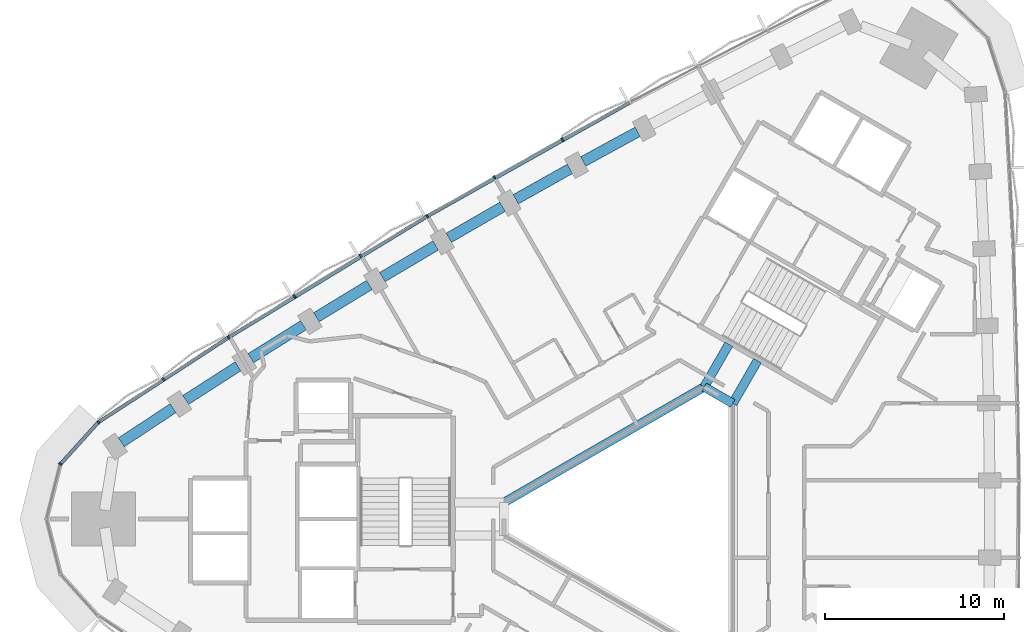
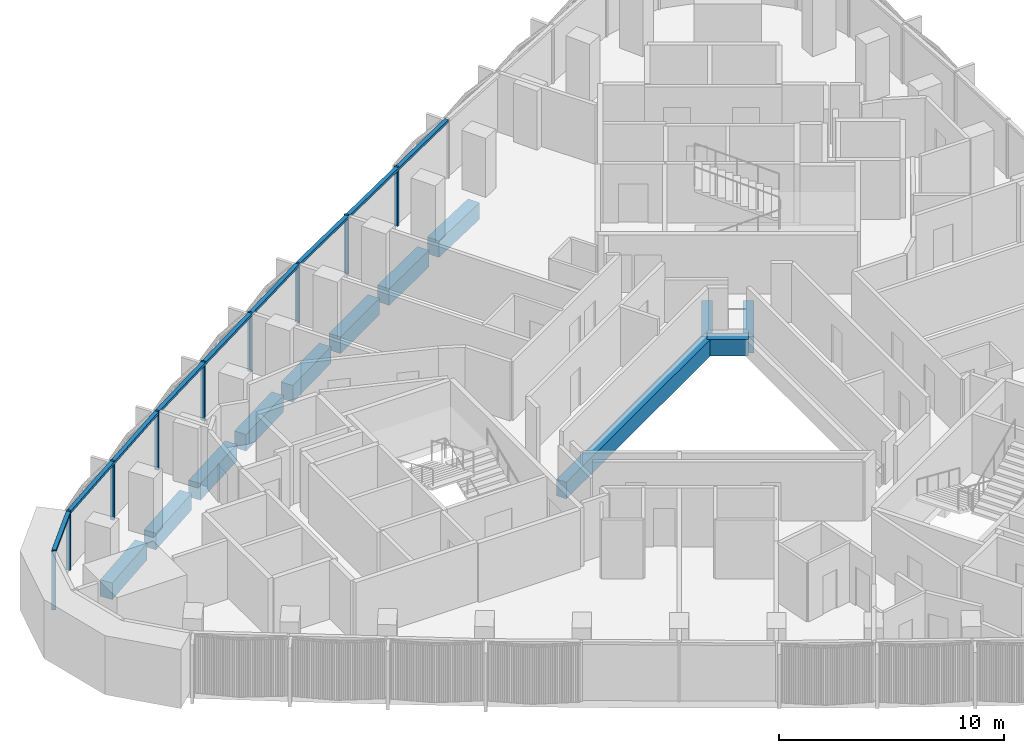
# One storey, part 4 of 15: 13 members, 12 beams, 1 element without a shape of its own.
"""IFC4 building model written with IfcOpenShell, lengths in metres."""

from ifc_helpers import new_model, si_unit, direction, frame, origin, origin_2d, place, context, subcontext, project, spatial, rectangle, extrude, material, material_profile, profile_set, type_object, element, aggregate, save


model = new_model("IFC4")

# Units and contexts
model_context = context("Model", 3, precision=1e-05, world=origin(), true_north=direction((0.0, 1.0)))
body_context = subcontext(model_context, "Body", "Model", "MODEL_VIEW")
ifc_project = project(units=[si_unit("LENGTHUNIT", "METRE"), si_unit("AREAUNIT", "SQUARE_METRE"), si_unit("VOLUMEUNIT", "CUBIC_METRE"), si_unit("PLANEANGLEUNIT", "RADIAN"), si_unit("MASSUNIT", "GRAM", prefix="KILO")], contexts=[model_context])

# Site, building, storey
site_placement = place(None, origin())
site = spatial("IfcSite", under=ifc_project, at=site_placement, CompositionType="ELEMENT")
building_placement = place(site_placement, origin())
building = spatial("IfcBuilding", under=site, at=building_placement, Name="Tamra Quay Hotel Tower", CompositionType="ELEMENT")
storey_placement = place(building_placement, frame((0.0, 0.0, 136.0)))
storey = spatial("IfcBuildingStorey", under=building, at=storey_placement, Name="L33", CompositionType="ELEMENT", Elevation=136.0)

# Beams
ifc_material_1 = material(Name="Concrete M60", Category="concrete")
ifc_material_profile_1 = material_profile(ifc_material_1, rectangle(XDim=0.5, YDim=0.89990234375, at=origin_2d()), Name="ATRIUM EDGE BEAM RC 500x900")
ifc_profile_set_1 = profile_set([ifc_material_profile_1], Name="Concrete M60")
beam_type_1 = type_object("IfcBeamType", Name="ATRIUM EDGE BEAM RC 500x900", PredefinedType="BEAM", material=ifc_profile_set_1)
beam_1_placement = place(storey_placement, frame((-8.0, 0.923828125, -0.85009765625), z_axis=(0.866024942741, 0.500000798549, 0.0), x_axis=(-0.500000798549, 0.866024942741, 0.0)))
element("IfcBeam", 1, at=beam_1_placement, inside=storey, type_object=beam_type_1, Name="BM-AB4-L33", PredefinedType="BEAM", context=body_context, shape_type="SweptSolid", body=[
    extrude(rectangle(XDim=0.5, YDim=0.89990234375, at=origin_2d()), origin(), (0.0, 0.0, 1.0), 12.9326171875),
])
beam_2_placement = place(storey_placement, frame((3.199951171875, 7.39013671875, -0.85009765625), z_axis=(0.86602275259, -0.500004591975, 0.0), x_axis=(0.500004591975, 0.86602275259, 0.0)))
element("IfcBeam", 2, at=beam_2_placement, inside=storey, type_object=beam_type_1, Name="BM-AB5-L33", PredefinedType="BEAM", context=body_context, shape_type="SweptSolid", body=[
    extrude(rectangle(XDim=0.5, YDim=0.89990234375, at=origin_2d()), origin(), (0.0, 0.0, 1.0), 1.84765625),
])
ifc_material_profile_2 = material_profile(ifc_material_1, rectangle(XDim=0.5, YDim=0.89990234375, at=origin_2d()), Name="ATRIUM TIE BEAM RC 500x900")
ifc_profile_set_2 = profile_set([ifc_material_profile_2], Name="Concrete M60")
beam_type_2 = type_object("IfcBeamType", Name="ATRIUM TIE BEAM RC 500x900", PredefinedType="BEAM", material=ifc_profile_set_2)
for number, where, z_axis, x_axis, name in (
    (3, (4.800048828125, 6.46630859375, -0.85009765625), (0.500008091576, 0.86602073206, 0.0), (-0.86602073206, 0.500008091576, 0.0), "BM-TIE-0-L33"),
    (4, (3.199951171875, 7.39013671875, -0.85009765625), (0.500008091576, 0.86602073206, 0.0), (-0.86602073206, 0.500008091576, 0.0), "BM-TIE-5-L33"),
):
    element("IfcBeam", number, at=place(storey_placement, frame(where, z_axis=z_axis, x_axis=x_axis)), inside=storey, type_object=beam_type_2, Name=name, PredefinedType="BEAM", context=body_context, shape_type="SweptSolid", body=[
        extrude(rectangle(XDim=0.5, YDim=0.89990234375, at=origin_2d()), origin(), (0.0, 0.0, 1.0), 2.76220703125),
    ])

# Curtain wall, members
ifc_material_2 = material(Name="Aluminium 6063 anodised dark grey", Category="aluminium")
curtain_wall_type = type_object("IfcCurtainWallType", Name="CW2 CURTAIN WALL", PredefinedType="NOTDEFINED", material=ifc_material_2)
curtain_wall_placement = place(storey_placement, origin())
curtain_wall = element("IfcCurtainWall", 5, at=curtain_wall_placement, inside=storey, type_object=curtain_wall_type, Name="CW2 north-west face L33", PredefinedType="NOTDEFINED")
ifc_material_profile_3 = material_profile(ifc_material_2, rectangle(XDim=0.199951171875, YDim=0.10009765625, at=origin_2d()), Name="MULLION 100X200")
ifc_profile_set_3 = profile_set([ifc_material_profile_3], Name="Aluminium 6063 anodised dark grey")
member_type_1 = type_object("IfcMemberType", Name="MULLION CW2 Z3", PredefinedType="MULLION", material=ifc_profile_set_3)
member_1_placement = place(storey_placement, frame((-4.74365234375, 21.241943359375, 0.0), z_axis=(0.0, 0.0, 1.0), x_axis=(-0.484394477866, 0.874849695555, 0.0)))
member_1 = element("IfcMember", 6, at=member_1_placement, type_object=member_type_1, Name="CW2 mullion L33.NW.5", PredefinedType="MULLION", context=body_context, shape_type="SweptSolid", body=[
    extrude(rectangle(XDim=0.199951171875, YDim=0.10009765625, at=origin_2d()), origin(), (0.0, 0.0, 1.0), 3.199951171875),
])
member_2_placement = place(storey_placement, frame((-8.529541015625, 19.1162109375, 0.0), z_axis=(0.0, 0.0, 1.0), x_axis=(-0.494813426934, 0.868999236205, 0.0)))
member_2 = element("IfcMember", 7, at=member_2_placement, type_object=member_type_1, Name="CW2 mullion L33.NW.6", PredefinedType="MULLION", context=body_context, shape_type="SweptSolid", body=[
    extrude(rectangle(XDim=0.199951171875, YDim=0.10009765625, at=origin_2d()), origin(), (0.0, 0.0, 1.0), 3.199951171875),
])
member_3_placement = place(storey_placement, frame((-12.290283203125, 16.94482421875, 0.0), z_axis=(0.0, 0.0, 1.0), x_axis=(-0.505168700956, 0.863020615961, 0.0)))
member_3 = element("IfcMember", 8, at=member_3_placement, type_object=member_type_1, Name="CW2 mullion L33.NW.7", PredefinedType="MULLION", context=body_context, shape_type="SweptSolid", body=[
    extrude(rectangle(XDim=0.199951171875, YDim=0.10009765625, at=origin_2d()), origin(), (0.0, 0.0, 1.0), 3.199951171875),
])
member_4_placement = place(storey_placement, frame((-16.024169921875, 14.72900390625, 0.0), z_axis=(0.0, 0.0, 1.0), x_axis=(-0.515444821911, 0.856922771062, 0.0)))
member_4 = element("IfcMember", 9, at=member_4_placement, type_object=member_type_1, Name="CW2 mullion L33.NW.8", PredefinedType="MULLION", context=body_context, shape_type="SweptSolid", body=[
    extrude(rectangle(XDim=0.199951171875, YDim=0.10009765625, at=origin_2d()), origin(), (0.0, 0.0, 1.0), 3.199951171875),
])
member_5_placement = place(storey_placement, frame((-19.73193359375, 12.468505859375, 0.0), z_axis=(0.0, 0.0, 1.0), x_axis=(-0.525646005383, 0.850703401325, 0.0)))
member_5 = element("IfcMember", 10, at=member_5_placement, type_object=member_type_1, Name="CW2 mullion L33.NW.9", PredefinedType="MULLION", context=body_context, shape_type="SweptSolid", body=[
    extrude(rectangle(XDim=0.199951171875, YDim=0.10009765625, at=origin_2d()), origin(), (0.0, 0.0, 1.0), 3.199951171875),
])
member_6_placement = place(storey_placement, frame((-23.41259765625, 10.163818359375, 0.0), z_axis=(0.0, 0.0, 1.0), x_axis=(-0.535760125246, 0.844370231709, 0.0)))
member_6 = element("IfcMember", 11, at=member_6_placement, type_object=member_type_1, Name="CW2 mullion L33.NW.10", PredefinedType="MULLION", context=body_context, shape_type="SweptSolid", body=[
    extrude(rectangle(XDim=0.199951171875, YDim=0.10009765625, at=origin_2d()), origin(), (0.0, 0.0, 1.0), 3.199951171875),
])
member_7_placement = place(storey_placement, frame((-27.064697265625, 7.81591796875, 0.0), z_axis=(0.0, 0.0, 1.0), x_axis=(-0.545780314448, 0.837928307411, 0.0)))
member_7 = element("IfcMember", 12, at=member_7_placement, type_object=member_type_1, Name="CW2 mullion L33.NW.11", PredefinedType="MULLION", context=body_context, shape_type="SweptSolid", body=[
    extrude(rectangle(XDim=0.199951171875, YDim=0.10009765625, at=origin_2d()), origin(), (0.0, 0.0, 1.0), 3.199951171875),
])
member_8_placement = place(storey_placement, frame((-30.688720703125, 5.424560546875, 0.0), z_axis=(0.0, 0.0, 1.0), x_axis=(-0.650989312843, 0.759086895266, 0.0)))
member_8 = element("IfcMember", 13, at=member_8_placement, type_object=member_type_1, Name="CW2 mullion L33.NW.12", PredefinedType="MULLION", context=body_context, shape_type="SweptSolid", body=[
    extrude(rectangle(XDim=0.199951171875, YDim=0.10009765625, at=origin_2d()), origin(), (0.0, 0.0, 1.0), 3.199951171875),
])
member_9_placement = place(storey_placement, frame((-32.81787109375, 3.075439453125, 0.0), z_axis=(0.0, 0.0, 1.0), x_axis=(-0.881925145425, 0.47138947577, 0.0)))
member_9 = element("IfcMember", 14, at=member_9_placement, type_object=member_type_1, Name="CW2 mullion L33.NW.13", PredefinedType="MULLION", context=body_context, shape_type="SweptSolid", body=[
    extrude(rectangle(XDim=0.199951171875, YDim=0.10009765625, at=origin_2d()), origin(), (0.0, 0.0, 1.0), 3.199951171875),
])

# Beams
ifc_material_profile_4 = material_profile(ifc_material_1, rectangle(XDim=0.60009765625, YDim=0.89990234375, at=origin_2d()), Name="SPANDREL BEAM RC 600x900")
ifc_profile_set_4 = profile_set([ifc_material_profile_4], Name="Concrete M60")
beam_type_3 = type_object("IfcBeamType", Name="SPANDREL BEAM RC 600x900", PredefinedType="SPANDREL", material=ifc_profile_set_4)
beam_3_placement = place(storey_placement, frame((-0.523681640625, 21.6669921875, -0.85009765625), z_axis=(-0.877731617539, -0.479152593202, 0.0), x_axis=(0.479152593202, -0.877731617539, 0.0)))
element("IfcBeam", 15, at=beam_3_placement, inside=storey, type_object=beam_type_3, Name="BM-SP3-016-L33", PredefinedType="SPANDREL", context=body_context, shape_type="SweptSolid", body=[
    extrude(rectangle(XDim=0.60009765625, YDim=0.89990234375, at=origin_2d()), origin(), (0.0, 0.0, 1.0), 3.472412109375),
])
beam_4_placement = place(storey_placement, frame((-4.315185546875, 19.59130859375, -0.85009765625), z_axis=(-0.871956406858, -0.489583521516, 0.0), x_axis=(0.489583521516, -0.871956406858, 0.0)))
element("IfcBeam", 16, at=beam_4_placement, inside=storey, type_object=beam_type_3, Name="BM-SP3-017-L33", PredefinedType="SPANDREL", context=body_context, shape_type="SweptSolid", body=[
    extrude(rectangle(XDim=0.60009765625, YDim=0.89990234375, at=origin_2d()), origin(), (0.0, 0.0, 1.0), 3.47265625),
])
beam_5_placement = place(storey_placement, frame((-8.081787109375, 17.470458984375, -0.85009765625), z_axis=(-0.866032201241, -0.499988226275, 0.0), x_axis=(0.499988226275, -0.866032201241, 0.0)))
element("IfcBeam", 17, at=beam_5_placement, inside=storey, type_object=beam_type_3, Name="BM-SP3-018-L33", PredefinedType="SPANDREL", context=body_context, shape_type="SweptSolid", body=[
    extrude(rectangle(XDim=0.60009765625, YDim=0.89990234375, at=origin_2d()), origin(), (0.0, 0.0, 1.0), 3.47216796875),
])
beam_6_placement = place(storey_placement, frame((-11.822509765625, 15.304931640625, -0.85009765625), z_axis=(-0.859988767784, -0.510312962098, 0.0), x_axis=(0.510312962098, -0.859988767784, 0.0)))
element("IfcBeam", 18, at=beam_6_placement, inside=storey, type_object=beam_type_3, Name="BM-SP3-019-L33", PredefinedType="SPANDREL", context=body_context, shape_type="SweptSolid", body=[
    extrude(rectangle(XDim=0.60009765625, YDim=0.89990234375, at=origin_2d()), origin(), (0.0, 0.0, 1.0), 3.472900390625),
])
for number, where, z_axis, x_axis, name in (
    (19, (-15.53759765625, 13.094482421875, -0.85009765625), (-0.853835813207, -0.520542413339, 0.0), (0.520542413339, -0.853835813207, 0.0), "BM-SP3-020-L33"),
    (20, (-19.225341796875, 10.840087890625, -0.85009765625), (-0.847547681474, -0.530719255, 0.0), (0.530719255, -0.847547681474, 0.0), "BM-SP3-021-L33"),
):
    element("IfcBeam", number, at=place(storey_placement, frame(where, z_axis=z_axis, x_axis=x_axis)), inside=storey, type_object=beam_type_3, Name=name, PredefinedType="SPANDREL", context=body_context, shape_type="SweptSolid", body=[
        extrude(rectangle(XDim=0.60009765625, YDim=0.89990234375, at=origin_2d()), origin(), (0.0, 0.0, 1.0), 3.47216796875),
    ])
beam_7_placement = place(storey_placement, frame((-22.885986328125, 8.5419921875, -0.85009765625), z_axis=(-0.84116020305, -0.540786013878, 0.0), x_axis=(0.540786013878, -0.84116020305, 0.0)))
element("IfcBeam", 21, at=beam_7_placement, inside=storey, type_object=beam_type_3, Name="BM-SP3-022-L33", PredefinedType="SPANDREL", context=body_context, shape_type="SweptSolid", body=[
    extrude(rectangle(XDim=0.60009765625, YDim=0.89990234375, at=origin_2d()), origin(), (0.0, 0.0, 1.0), 3.47314453125),
])
beam_8_placement = place(storey_placement, frame((-26.51953125, 6.199951171875, -0.85009765625), z_axis=(-0.834690851507, -0.55071878705, 0.0), x_axis=(0.55071878705, -0.834690851507, 0.0)))
element("IfcBeam", 22, at=beam_8_placement, inside=storey, type_object=beam_type_3, Name="BM-SP3-023-L33", PredefinedType="SPANDREL", context=body_context, shape_type="SweptSolid", body=[
    extrude(rectangle(XDim=0.60009765625, YDim=0.89990234375, at=origin_2d()), origin(), (0.0, 0.0, 1.0), 3.472412109375),
])

# Member
ifc_material_profile_5 = material_profile(ifc_material_2, rectangle(XDim=0.199951171875, YDim=0.139892578125, at=origin_2d()), Name="TRANSOM 200X140")
ifc_profile_set_5 = profile_set([ifc_material_profile_5], Name="Aluminium 6063 anodised dark grey")
member_type_2 = type_object("IfcMemberType", Name="TRANSOM CW2 Z3", PredefinedType="USERDEFINED", material=ifc_profile_set_5)
member_10_placement = place(storey_placement, frame((-0.97607421875, 23.298828125, 3.1298828125), z_axis=(-0.871933427446, -0.48962444598, 0.0), x_axis=(0.48962444598, -0.871933427446, 0.0)))
member_10 = element("IfcMember", 23, at=member_10_placement, type_object=member_type_2, Name="CW2 transom L33.NW.4", ObjectType="TRANSOM", PredefinedType="USERDEFINED", context=body_context, shape_type="SweptSolid", body=[
    extrude(rectangle(XDim=0.199951171875, YDim=0.139892578125, at=origin_2d()), origin(), (0.0, 0.0, 1.0), 12.926513671875),
])

member_11_placement = place(storey_placement, frame((-12.333251953125, 16.919189453125, 3.1298828125), z_axis=(-0.853831802217, -0.520548992433, 0.0), x_axis=(0.520548992433, -0.853831802217, 0.0)))
member_11 = element("IfcMember", 24, at=member_11_placement, type_object=member_type_2, Name="CW2 transom L33.NW.7", ObjectType="TRANSOM", PredefinedType="USERDEFINED", context=body_context, shape_type="SweptSolid", body=[
    extrude(rectangle(XDim=0.199951171875, YDim=0.139892578125, at=origin_2d()), origin(), (0.0, 0.0, 1.0), 12.92626953125),
])

member_12_placement = place(storey_placement, frame((-23.45458984375, 10.13671875, 3.1298828125), z_axis=(-0.837931839727, -0.545774891298, 0.0), x_axis=(0.545774891298, -0.837931839727, 0.0)))
member_12 = element("IfcMember", 25, at=member_12_placement, type_object=member_type_2, Name="CW2 transom L33.NW.10", ObjectType="TRANSOM", PredefinedType="USERDEFINED", context=body_context, shape_type="SweptSolid", body=[
    extrude(rectangle(XDim=0.199951171875, YDim=0.139892578125, at=origin_2d()), origin(), (0.0, 0.0, 1.0), 8.583740234375),
])

member_13_placement = place(storey_placement, frame((-30.722412109375, 5.387451171875, 3.1298828125), z_axis=(-0.671548073699, -0.740960987307, 0.0), x_axis=(0.740960987307, -0.671548073699, 0.0)))
member_13 = element("IfcMember", 26, at=member_13_placement, type_object=member_type_2, Name="CW2 transom L33.NW.12", ObjectType="TRANSOM", PredefinedType="USERDEFINED", context=body_context, shape_type="SweptSolid", body=[
    extrude(rectangle(XDim=0.199951171875, YDim=0.139892578125, at=origin_2d()), origin(), (0.0, 0.0, 1.0), 3.070556640625),
])

aggregate(curtain_wall, [member_10, member_1, member_2, member_3, member_11, member_4, member_5, member_6, member_12, member_7, member_8, member_13, member_9])

save(model, "model.ifc")
